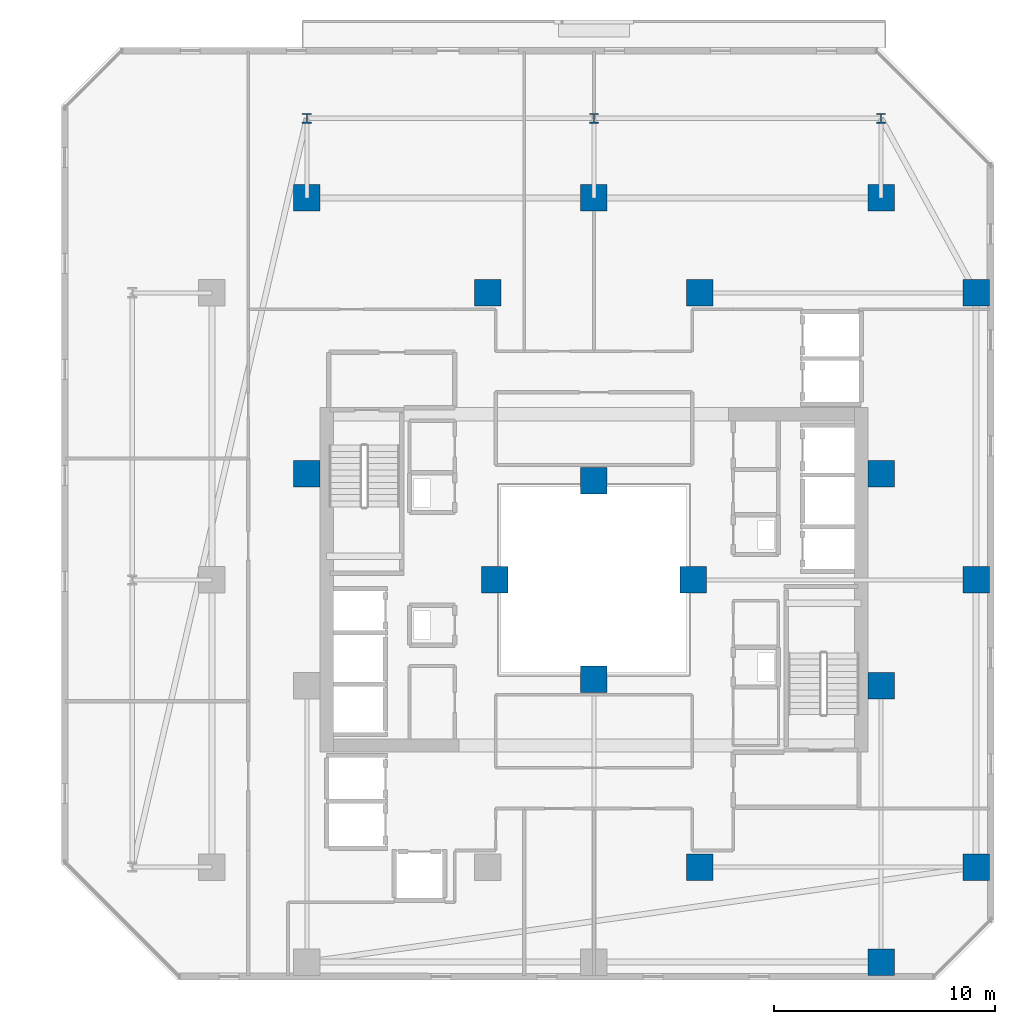
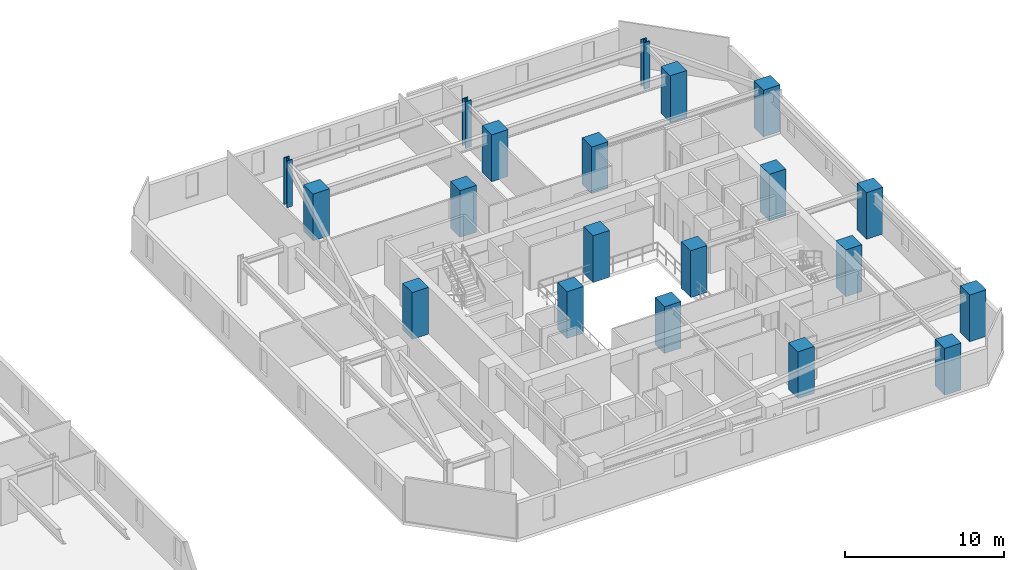
# One storey, part 2 of 31: 20 columns.
"""IFC4 building model written with IfcOpenShell, lengths in metres."""

import ifcopenshell
import ifcopenshell.guid

model = None  # the IFC model being written
_history = None  # IfcOwnerHistory: only IFC2X3 demands one
_inside = {}  # id of a spatial element -> (the spatial element, [elements in it])
_under = {}  # id of a project, library or spatial element -> (it, [spatial elements below it])
_declared = {}  # id of a project -> (the project, [libraries it declares])
_typed = {}  # id of a type object -> (the type object, [elements of that type])
_made_of = {}  # id of a material, layer set ... -> (it, [elements and type objects made of it])


def new_model(schema):
    """Start an empty IFC model of exactly this schema.

    Asked for "IFC4X3", IfcOpenShell would pick the latest addendum, in which some entities
    have other attributes; the version numbers below select the first issue.
    IFC2X3 requires an IfcOwnerHistory on every rooted entity: one is made here for all.
    """
    global model, _history
    if schema == "IFC4X3":
        model = ifcopenshell.file(schema_version=(4, 3, 0, 0))
    else:
        model = ifcopenshell.file(schema=schema)
    _inside.clear()
    _under.clear()
    _declared.clear()
    _typed.clear()
    _made_of.clear()
    _history = None
    if model.schema == "IFC2X3":
        org = make("IfcOrganization", Name="unknown")
        user = make(
            "IfcPersonAndOrganization",
            ThePerson=make("IfcPerson", FamilyName="unknown"),
            TheOrganization=org,
        )
        app = make(
            "IfcApplication",
            ApplicationDeveloper=org,
            Version="unknown",
            ApplicationFullName="unknown",
            ApplicationIdentifier="unknown",
        )
        _history = make(
            "IfcOwnerHistory",
            OwningUser=user,
            OwningApplication=app,
            ChangeAction="ADDED",
            CreationDate=0,
        )
    return model


def make(cls, **values):
    """One entity of the class cls with the attributes given. An attribute that is None is left unset."""
    return model.create_entity(
        cls, **{name: value for name, value in values.items() if value is not None}
    )


def rooted(cls, **values):
    """An entity with a GlobalId (a new one), such as an element, a storey or a relation."""
    return make(cls, GlobalId=ifcopenshell.guid.new(), OwnerHistory=_history, **values)


def si_unit(unit_type, name, prefix=None):
    """IfcSIUnit, for example si_unit("LENGTHUNIT", "METRE", prefix="MILLI")."""
    return make("IfcSIUnit", UnitType=unit_type, Prefix=prefix, Name=name)


def assignment(units):
    """IfcUnitAssignment: the units of a project."""
    return None if units is None else make("IfcUnitAssignment", Units=units)


def point(xyz):
    """IfcCartesianPoint."""
    return None if xyz is None else make("IfcCartesianPoint", Coordinates=xyz)


def direction(xyz):
    """IfcDirection."""
    return None if xyz is None else make("IfcDirection", DirectionRatios=xyz)


def frame(location, z_axis=None, x_axis=None):
    """IfcAxis2Placement3D, a coordinate frame: its origin and axes. An axis left out is left unset."""
    return make(
        "IfcAxis2Placement3D",
        Location=point(location),
        Axis=direction(z_axis),
        RefDirection=direction(x_axis),
    )


def frame_2d(location, x_axis=None):
    """IfcAxis2Placement2D, a coordinate frame in the plane: its origin and x axis."""
    return make(
        "IfcAxis2Placement2D", Location=point(location), RefDirection=direction(x_axis)
    )


def origin():
    """The frame at (0, 0, 0) with its axes left unset."""
    return frame((0.0, 0.0, 0.0))


def origin_2d():
    """The frame at (0, 0) in the plane with its x axis left unset."""
    return frame_2d((0.0, 0.0))


def place(relative_to, where):
    """IfcLocalPlacement: puts the frame where relative to a parent placement (None: the world)."""
    return make(
        "IfcLocalPlacement", PlacementRelTo=relative_to, RelativePlacement=where
    )


def context(
    kind, dimensions, precision=None, world=None, true_north=None, identifier=None
):
    """IfcGeometricRepresentationContext, for example the 3D "Model" context."""
    return make(
        "IfcGeometricRepresentationContext",
        ContextIdentifier=identifier,
        ContextType=kind,
        CoordinateSpaceDimension=dimensions,
        Precision=precision,
        WorldCoordinateSystem=world,
        TrueNorth=true_north,
    )


def subcontext(parent, identifier, kind, view, scale=None):
    """IfcGeometricRepresentationSubContext, for example "Body" below "Model"."""
    return make(
        "IfcGeometricRepresentationSubContext",
        ContextIdentifier=identifier,
        ContextType=kind,
        ParentContext=parent,
        TargetScale=scale,
        TargetView=view,
    )


def project(units=None, contexts=None):
    """IfcProject with its units and contexts."""
    return rooted(
        "IfcProject",
        Name="project",
        RepresentationContexts=contexts,
        UnitsInContext=assignment(units),
    )


def spatial(cls, under=None, at=None, **own):
    """A site, building, storey or space (cls), placed at a placement, below another one or the project."""
    s = rooted(cls, ObjectPlacement=at, **own)
    if under is not None:
        _under.setdefault(under.id(), (under, []))[1].append(s)
    return s


def profile(cls, at=None, kind="AREA", **sizes):
    """A parametric profile (cls). Its sizes go by their IFC names, for example OverallWidth=200.0."""
    return make(cls, ProfileType=kind, Position=at, **sizes)


def rectangle(**sizes):
    """IfcRectangleProfileDef."""
    return profile("IfcRectangleProfileDef", **sizes)


def i_section(**sizes):
    """IfcIShapeProfileDef."""
    return profile("IfcIShapeProfileDef", **sizes)


def extrude(swept, where, along, depth):
    """IfcExtrudedAreaSolid: the profile swept, set in the frame where, extruded along a direction by depth."""
    return make(
        "IfcExtrudedAreaSolid",
        SweptArea=swept,
        Position=where,
        ExtrudedDirection=direction(along),
        Depth=depth,
    )


def shape(context_of_items, identifier, shape_type, items):
    """IfcShapeRepresentation: the items that make up one representation, for example the "Body"."""
    return make(
        "IfcShapeRepresentation",
        ContextOfItems=context_of_items,
        RepresentationIdentifier=identifier,
        RepresentationType=shape_type,
        Items=items,
    )


def material(Name=None, Category=None):
    """IfcMaterial."""
    return make("IfcMaterial", Name=Name, Category=Category)


def material_profile(
    of_material, cross_section, Name=None, Category=None, Priority=None
):
    """IfcMaterialProfile: a cross section and its material."""
    return make(
        "IfcMaterialProfile",
        Name=Name,
        Material=of_material,
        Profile=cross_section,
        Priority=Priority,
        Category=Category,
    )


def profile_set(profiles, Name=None, composite=None):
    """IfcMaterialProfileSet."""
    return make(
        "IfcMaterialProfileSet",
        Name=Name,
        MaterialProfiles=profiles,
        CompositeProfile=composite,
    )


def made_of(thing, what):
    """Note that an element or type object is made of a material, layer set ...; save() writes the relation."""
    if what is not None:
        _made_of.setdefault(what.id(), (what, []))[1].append(thing)
    return thing


def type_object(cls, material=None, **own):
    """A type object (cls), such as IfcWallType, which elements share."""
    return made_of(rooted(cls, **own), material)


def element(
    cls,
    number,
    at=None,
    inside=None,
    cuts=None,
    type_object=None,
    material=None,
    context=None,
    identifier="Body",
    shape_type=None,
    held_by="IfcProductDefinitionShape",
    body=None,
    shapes=None,
    **own,
):
    """One element of the class cls, such as IfcWall. Its Tag is "e" and its number.

    at: its placement. inside: the storey or other place that contains it. cuts: it is an
    opening in that element (IfcRelVoidsElement). A single representation is given by context,
    identifier, shape_type and body (its items); several are given by shapes. held_by: the class
    of the entity that holds the representations. save() writes the other relations.
    """
    e = rooted(cls, Tag="e%d" % number, ObjectPlacement=at, **own)
    if body is not None:
        shapes = [shape(context, identifier, shape_type, body)]
    if shapes is not None:
        e.Representation = make(held_by, Representations=shapes)
    if inside is not None:
        _inside.setdefault(inside.id(), (inside, []))[1].append(e)
    if cuts is not None:
        rooted(
            "IfcRelVoidsElement", RelatingBuildingElement=cuts, RelatedOpeningElement=e
        )
    if type_object is not None:
        _typed.setdefault(type_object.id(), (type_object, []))[1].append(e)
    return made_of(e, material)


def aggregate(whole, parts):
    """IfcRelAggregates: a whole, such as a stair, and the parts it consists of."""
    return rooted("IfcRelAggregates", RelatingObject=whole, RelatedObjects=parts)


def save(model, path):
    """Write the relations noted so far, then the file.

    IfcRelAggregates (storeys below a building ...), IfcRelContainedInSpatialStructure (elements
    in a storey), IfcRelDefinesByType, IfcRelAssociatesMaterial and IfcRelDeclares: one each for
    every whole, place, type object, material and project.
    """
    for whole, parts in _under.values():
        aggregate(whole, parts)
    for where, things in _inside.values():
        rooted(
            "IfcRelContainedInSpatialStructure",
            RelatedElements=things,
            RelatingStructure=where,
        )
    for kind, things in _typed.values():
        rooted("IfcRelDefinesByType", RelatedObjects=things, RelatingType=kind)
    for what, things in _made_of.values():
        rooted("IfcRelAssociatesMaterial", RelatedObjects=things, RelatingMaterial=what)
    for by, libraries in _declared.values():
        rooted("IfcRelDeclares", RelatingContext=by, RelatedDefinitions=libraries)
    model.write(path)


model = new_model("IFC4")

# Units and contexts
model_context = context("Model", 3, precision=1e-05, world=origin(), true_north=direction((0.0, 1.0)))
body_context = subcontext(model_context, "Body", "Model", "MODEL_VIEW")
ifc_project = project(units=[si_unit("LENGTHUNIT", "METRE"), si_unit("AREAUNIT", "SQUARE_METRE"), si_unit("VOLUMEUNIT", "CUBIC_METRE"), si_unit("PLANEANGLEUNIT", "RADIAN"), si_unit("MASSUNIT", "GRAM", prefix="KILO")], contexts=[model_context])

# Site, building, storey
site_placement = place(None, origin())
site = spatial("IfcSite", under=ifc_project, at=site_placement, CompositionType="ELEMENT")
building_placement = place(site_placement, origin())
building = spatial("IfcBuilding", under=site, at=building_placement, Name="Thornwick Lancets Civic Towers", CompositionType="ELEMENT")
storey_placement = place(building_placement, frame((0.0, 0.0, 87.300048828125)))
storey = spatial("IfcBuildingStorey", under=building, at=storey_placement, Name="L22", CompositionType="ELEMENT", Elevation=87.300048828125)

# Columns
ifc_material_1 = material(Name="Concrete C60/75", Category="concrete")
ifc_material_profile_1 = material_profile(ifc_material_1, rectangle(XDim=1.199951171875, YDim=1.199951171875, at=origin_2d()), Name="RC 1200x1200")
ifc_profile_set_1 = profile_set([ifc_material_profile_1], Name="Concrete C60/75")
column_type_1 = type_object("IfcColumnType", Name="COL_RC_1200", PredefinedType="COLUMN", material=ifc_profile_set_1)
for number, where, z_axis, x_axis, name in (
    (1, (105.800048828125, 14.0, 0.0), (0.0, 0.0, 1.0), (1.0, 0.0, 0.0), "L22 Spine Mega-Column B01"),
    (2, (105.800048828125, 27.0, 0.0), (0.0, 0.0, 1.0), (1.0, 0.0, 0.0), "L22 Spine Mega-Column B02"),
    (3, (105.800048828125, 40.0, 0.0), (0.0, 0.0, 1.0), (1.0, 0.0, 0.0), "L22 Spine Mega-Column B03"),
    (4, (101.5, 44.300048828125, 0.0), (0.0, 0.0, 1.0), (1.0, 0.0, 0.0), "L22 Spine Mega-Column B04"),
    (5, (88.5, 44.300048828125, 0.0), (0.0, 0.0, 1.0), (1.0, 0.0, 0.0), "L22 Spine Mega-Column B05"),
    (6, (75.5, 44.300048828125, 0.0), (0.0, 0.0, 1.0), (1.0, 0.0, 0.0), "L22 Spine Mega-Column B06"),
    (7, (101.5, 9.699951171875, 0.0), (0.0, 0.0, 1.0), (1.0, 0.0, 0.0), "L22 Spine Mega-Column B10"),
    (8, (93.300048828125, 14.0, 0.0), (0.0, 0.0, 1.0), (1.0, 0.0, 0.0), "L22 Spine Mega-Column B13"),
    (9, (93.300048828125, 40.0, 0.0), (0.0, 0.0, 1.0), (1.0, 0.0, 0.0), "L22 Spine Mega-Column B14"),
    (10, (83.699951171875, 40.0, 0.0), (0.0, 0.0, 1.0), (1.0, 0.0, 0.0), "L22 Spine Mega-Column B16"),
    (11, (101.5, 22.199951171875, 0.0), (0.0, 0.0, 1.0), (1.0, 0.0, 0.0), "L22 Spine Mega-Column B17"),
    (12, (101.5, 31.800048828125, 0.0), (0.0, 0.0, 1.0), (1.0, 0.0, 0.0), "L22 Spine Mega-Column B18"),
    (13, (75.5, 31.800048828125, 0.0), (0.0, 0.0, 1.0), (1.0, 0.0, 0.0), "L22 Spine Mega-Column B20"),
    (14, (93.0, 27.0, 0.0), (0.0, 0.0, 1.0), (1.0, 0.0, 0.0), "L22 Spine Mega-Column B21"),
    (15, (84.0, 27.0, 0.0), (0.0, 0.0, 1.0), (1.0, 0.0, 0.0), "L22 Spine Mega-Column B22"),
    (16, (88.5, 22.5, 0.0), (0.0, 0.0, 1.0), (1.0, 0.0, 0.0), "L22 Spine Mega-Column B23"),
    (17, (88.5, 31.5, 0.0), (0.0, 0.0, 1.0), (1.0, 0.0, 0.0), "L22 Spine Mega-Column B24"),
):
    element("IfcColumn", number, at=place(storey_placement, frame(where, z_axis=z_axis, x_axis=x_axis)), inside=storey, type_object=column_type_1, Name=name, PredefinedType="COLUMN", context=body_context, shape_type="SweptSolid", body=[
        extrude(rectangle(XDim=1.199951171875, YDim=1.199951171875, at=origin_2d()), origin(), (0.0, 0.0, 1.0), 3.599853515625),
    ])
ifc_material_2 = material(Name="Steel S460M", Category="steel")
ifc_material_profile_2 = material_profile(ifc_material_2, i_section(OverallWidth=0.41845703125, OverallDepth=0.45556640625, WebThickness=0.0419921875, FlangeThickness=0.0673828125, FilletRadius=0.01513671875, at=origin_2d()), Name="UKC 356x406x551")
ifc_profile_set_2 = profile_set([ifc_material_profile_2], Name="Steel S460M")
column_type_2 = type_object("IfcColumnType", Name="COL_UKC_551", PredefinedType="COLUMN", material=ifc_profile_set_2)
for number, where, z_axis, x_axis, name in (
    (18, (101.5, 47.89990234375, 0.0), (0.0, 0.0, 1.0), (1.0, 0.0, 0.0), "L22 Block Perimeter Column B04"),
    (19, (88.5, 47.89990234375, 0.0), (0.0, 0.0, 1.0), (1.0, 0.0, 0.0), "L22 Block Perimeter Column B05"),
    (20, (75.5, 47.89990234375, 0.0), (0.0, 0.0, 1.0), (1.0, 0.0, 0.0), "L22 Block Perimeter Column B06"),
):
    element("IfcColumn", number, at=place(storey_placement, frame(where, z_axis=z_axis, x_axis=x_axis)), inside=storey, type_object=column_type_2, Name=name, PredefinedType="COLUMN", context=body_context, shape_type="SweptSolid", body=[
        extrude(i_section(OverallWidth=0.41845703125, OverallDepth=0.45556640625, WebThickness=0.0419921875, FlangeThickness=0.0673828125, FilletRadius=0.01513671875, at=origin_2d()), origin(), (0.0, 0.0, 1.0), 3.599853515625),
    ])

save(model, "model.ifc")
